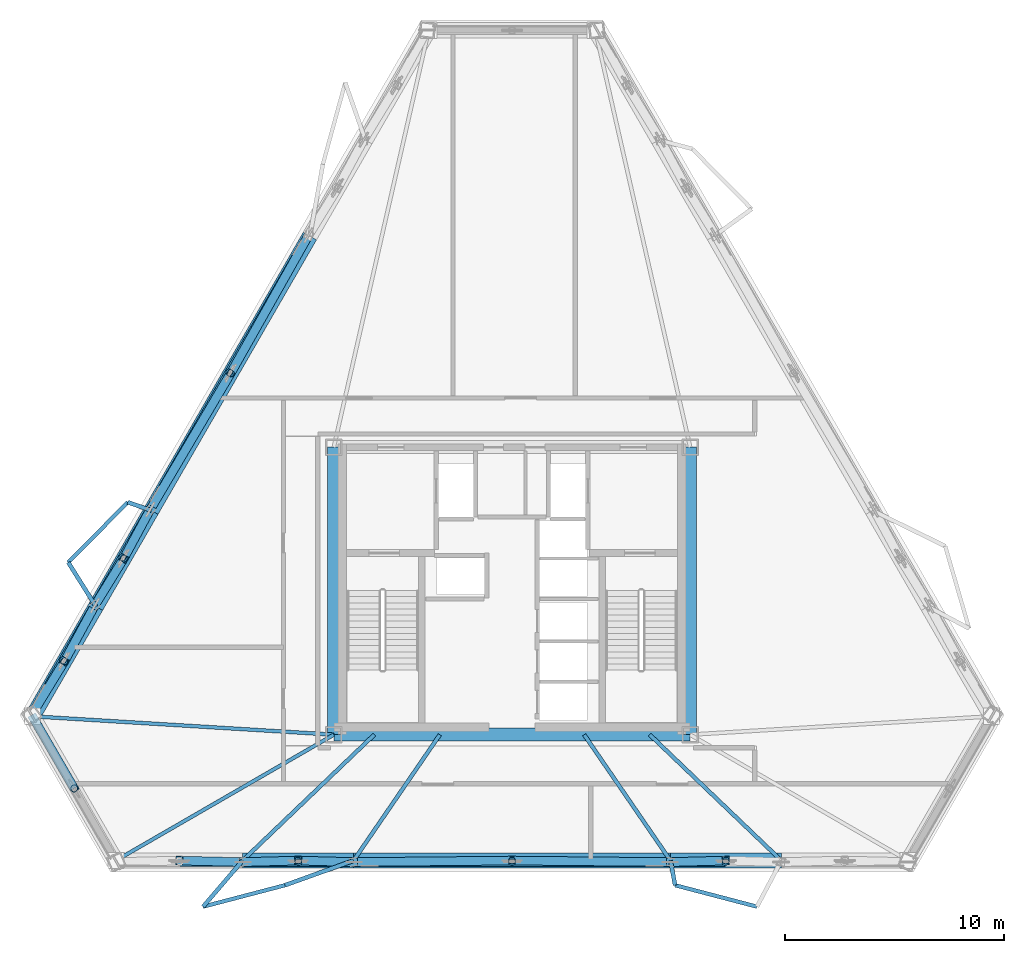
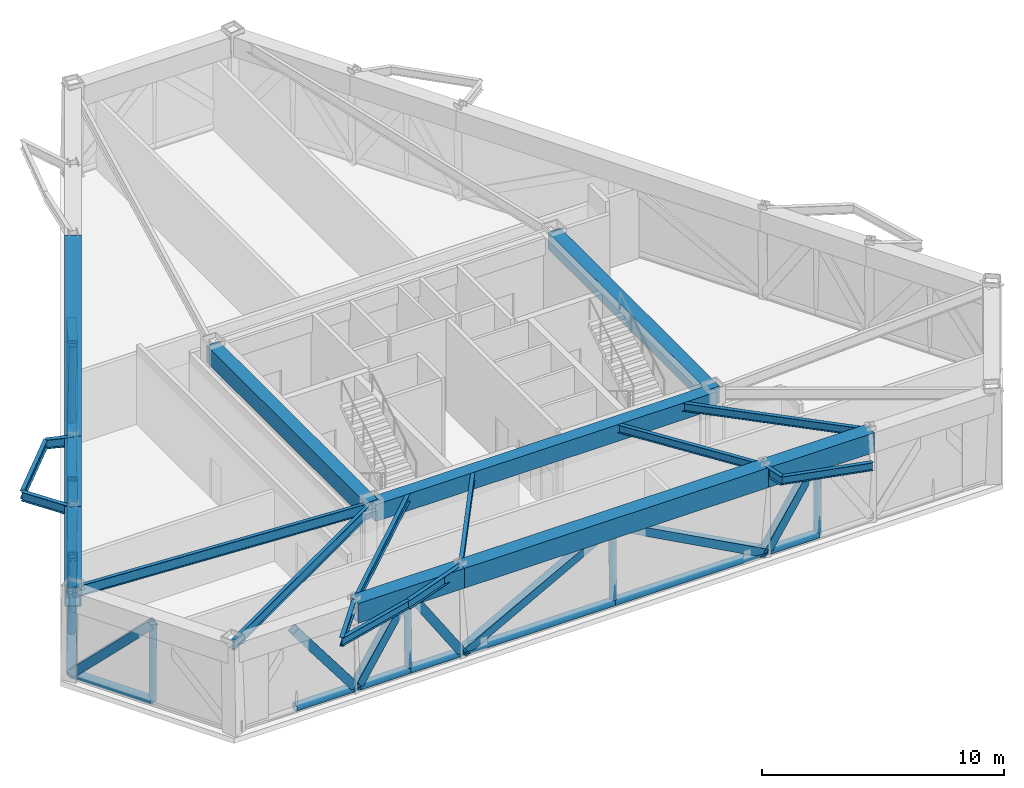
# One storey, part 2 of 10: 33 members, 23 beams.
"""IFC4 building model written with IfcOpenShell, lengths in metres."""

from ifc_helpers import new_model, si_unit, direction, frame, origin, origin_2d, place, context, subcontext, project, spatial, rectangle, hollow_rectangle, hollow_circle, i_section, extrude, material, material_profile, profile_set, type_object, element, save


model = new_model("IFC4")

# Units and contexts
model_context = context("Model", 3, precision=1e-05, world=origin(), true_north=direction((0.0, 1.0)))
body_context = subcontext(model_context, "Body", "Model", "MODEL_VIEW")
ifc_project = project(units=[si_unit("LENGTHUNIT", "METRE"), si_unit("AREAUNIT", "SQUARE_METRE"), si_unit("VOLUMEUNIT", "CUBIC_METRE"), si_unit("PLANEANGLEUNIT", "RADIAN"), si_unit("MASSUNIT", "GRAM", prefix="KILO")], contexts=[model_context])

# Site, building, storey
site_placement = place(None, origin())
site = spatial("IfcSite", under=ifc_project, at=site_placement, CompositionType="ELEMENT")
building_placement = place(site_placement, origin())
building = spatial("IfcBuilding", under=site, at=building_placement, Name="Oramaril Tower", CompositionType="ELEMENT")
storey_placement = place(building_placement, frame((0.0, 0.0, 189.0)))
storey = spatial("IfcBuildingStorey", under=building, at=storey_placement, Name="L50", CompositionType="ELEMENT", Elevation=189.0)

# Beams
ifc_material_1 = material(Name="Steel ASTM A572 Gr 50", Category="steel")
ifc_material_profile_1 = material_profile(ifc_material_1, i_section(OverallWidth=0.19091796875, OverallDepth=0.45703125, WebThickness=0.009033203125, FlangeThickness=0.014404296875, at=origin_2d()), Name="W18X50")
ifc_profile_set_1 = profile_set([ifc_material_profile_1], Name="Steel ASTM A572 Gr 50")
beam_type_1 = type_object("IfcBeamType", Name="BT-BB1", PredefinedType="BEAM", material=ifc_profile_set_1)
beam_1_placement = place(storey_placement, frame((25.18017578125, 5.24169921875, 4.3515625), z_axis=(-0.651471332748, -0.758673251544, 0.0), x_axis=(0.758673251544, -0.651471332748, 0.0)))
element("IfcBeam", 1, at=beam_1_placement, inside=storey, type_object=beam_type_1, Name="L50 Balcony Column-Framed Cantilever 01.1", PredefinedType="BEAM", context=body_context, shape_type="SweptSolid", body=[
    extrude(i_section(OverallWidth=0.19091796875, OverallDepth=0.45703125, WebThickness=0.009033203125, FlangeThickness=0.014404296875, at=origin_2d()), origin(), (0.0, 0.0, 1.0), 2.7783203125),
])
beam_2_placement = place(storey_placement, frame((30.253173828125, 5.24169921875, 4.3515625), z_axis=(-0.941094369535, -0.338144033851, 0.0), x_axis=(0.338144033851, -0.941094369535, 0.0)))
element("IfcBeam", 2, at=beam_2_placement, inside=storey, type_object=beam_type_1, Name="L50 Balcony Column-Framed Cantilever 01.2", PredefinedType="BEAM", context=body_context, shape_type="SweptSolid", body=[
    extrude(i_section(OverallWidth=0.19091796875, OverallDepth=0.45703125, WebThickness=0.009033203125, FlangeThickness=0.014404296875, at=origin_2d()), origin(), (0.0, 0.0, 1.0), 3.335693359375),
])
beam_3_placement = place(storey_placement, frame((44.746826171875, 5.24169921875, 4.3515625), z_axis=(0.186496448459, -0.982455634984, 0.0), x_axis=(0.982455634984, 0.186496448459, 0.0)))
element("IfcBeam", 3, at=beam_3_placement, inside=storey, type_object=beam_type_1, Name="L50 Balcony Column-Framed Cantilever 02.1", PredefinedType="BEAM", context=body_context, shape_type="SweptSolid", body=[
    extrude(i_section(OverallWidth=0.19091796875, OverallDepth=0.45703125, WebThickness=0.009033203125, FlangeThickness=0.014404296875, at=origin_2d()), origin(), (0.0, 0.0, 1.0), 1.148193359375),
])
beam_4_placement = place(storey_placement, frame((21.0087890625, 21.253173828125, 4.3515625), z_axis=(-0.94403394641, 0.329848310629, 0.0), x_axis=(-0.329848310629, -0.94403394641, 0.0)))
element("IfcBeam", 4, at=beam_4_placement, inside=storey, type_object=beam_type_1, Name="L50 Balcony Column-Framed Cantilever 06.1", PredefinedType="BEAM", context=body_context, shape_type="SweptSolid", body=[
    extrude(i_section(OverallWidth=0.19091796875, OverallDepth=0.45703125, WebThickness=0.009033203125, FlangeThickness=0.014404296875, at=origin_2d()), origin(), (0.0, 0.0, 1.0), 1.14794921875),
])
beam_5_placement = place(storey_placement, frame((18.472412109375, 16.85986328125, 4.3515625), z_axis=(-0.531764717198, 0.846892133358, 0.0), x_axis=(-0.846892133358, -0.531764717198, 0.0)))
element("IfcBeam", 5, at=beam_5_placement, inside=storey, type_object=beam_type_1, Name="L50 Balcony Column-Framed Cantilever 06.2", PredefinedType="BEAM", context=body_context, shape_type="SweptSolid", body=[
    extrude(i_section(OverallWidth=0.19091796875, OverallDepth=0.45703125, WebThickness=0.009033203125, FlangeThickness=0.014404296875, at=origin_2d()), origin(), (0.0, 0.0, 1.0), 2.384521484375),
])
ifc_material_2 = material(Name="Steel ASTM A572 Gr 50", Category="steel")
ifc_material_profile_2 = material_profile(ifc_material_2, hollow_rectangle(XDim=0.699951171875, YDim=1.0, WallThickness=0.06494140625, at=origin_2d()), Name="BOX1000X700X65")
ifc_profile_set_2 = profile_set([ifc_material_profile_2], Name="Steel ASTM A572 Gr 50")
beam_type_2 = type_object("IfcBeamType", Name="BT-BT1", PredefinedType="BEAM", material=ifc_profile_set_2)
beam_6_placement = place(storey_placement, frame((25.18017578125, 5.24169921875, 4.080078125), z_axis=(1.0, 0.0, 0.0), x_axis=(0.0, 1.0, 0.0)))
element("IfcBeam", 6, at=beam_6_placement, inside=storey, type_object=beam_type_2, Name="L50 Perimeter Spandrel 03", PredefinedType="BEAM", context=body_context, shape_type="SweptSolid", body=[
    extrude(hollow_rectangle(XDim=0.699951171875, YDim=1.0, WallThickness=0.06494140625, at=origin_2d()), origin(), (0.0, 0.0, 1.0), 5.072998046875),
])
beam_7_placement = place(storey_placement, frame((30.253173828125, 5.24169921875, 4.080078125), z_axis=(1.0, 0.0, 0.0), x_axis=(0.0, 1.0, 0.0)))
element("IfcBeam", 7, at=beam_7_placement, inside=storey, type_object=beam_type_2, Name="L50 Perimeter Spandrel 04", PredefinedType="BEAM", context=body_context, shape_type="SweptSolid", body=[
    extrude(hollow_rectangle(XDim=0.699951171875, YDim=1.0, WallThickness=0.06494140625, at=origin_2d()), origin(), (0.0, 0.0, 1.0), 14.49365234375),
])
beam_8_placement = place(storey_placement, frame((44.746826171875, 5.24169921875, 4.080078125), z_axis=(1.0, 0.0, 0.0), x_axis=(0.0, 1.0, 0.0)))
element("IfcBeam", 8, at=beam_8_placement, inside=storey, type_object=beam_type_2, Name="L50 Perimeter Spandrel 05", PredefinedType="BEAM", context=body_context, shape_type="SweptSolid", body=[
    extrude(hollow_rectangle(XDim=0.699951171875, YDim=1.0, WallThickness=0.06494140625, at=origin_2d()), origin(), (0.0, 0.0, 1.0), 5.072998046875),
])
beam_9_placement = place(storey_placement, frame((28.255859375, 33.80517578125, 4.080078125), z_axis=(-0.500008724652, -0.866020366546, 0.0), x_axis=(0.866020366546, -0.500008724652, 0.0)))
element("IfcBeam", 9, at=beam_9_placement, inside=storey, type_object=beam_type_2, Name="L50 Perimeter Spandrel 16", PredefinedType="BEAM", context=body_context, shape_type="SweptSolid", body=[
    extrude(hollow_rectangle(XDim=0.699951171875, YDim=1.0, WallThickness=0.06494140625, at=origin_2d()), origin(), (0.0, 0.0, 1.0), 14.493896484375),
])
beam_10_placement = place(storey_placement, frame((21.0087890625, 21.253173828125, 4.080078125), z_axis=(-0.49998490891, -0.866034116454, 0.0), x_axis=(0.866034116454, -0.49998490891, 0.0)))
element("IfcBeam", 10, at=beam_10_placement, inside=storey, type_object=beam_type_2, Name="L50 Perimeter Spandrel 17", PredefinedType="BEAM", context=body_context, shape_type="SweptSolid", body=[
    extrude(hollow_rectangle(XDim=0.699951171875, YDim=1.0, WallThickness=0.06494140625, at=origin_2d()), origin(), (0.0, 0.0, 1.0), 5.072998046875),
])
beam_11_placement = place(storey_placement, frame((18.472412109375, 16.85986328125, 4.080078125), z_axis=(-0.499993421515, -0.866029201841, 0.0), x_axis=(0.866029201841, -0.499993421515, 0.0)))
element("IfcBeam", 11, at=beam_11_placement, inside=storey, type_object=beam_type_2, Name="L50 Perimeter Spandrel 18", PredefinedType="BEAM", context=body_context, shape_type="SweptSolid", body=[
    extrude(hollow_rectangle(XDim=0.699951171875, YDim=1.0, WallThickness=0.06494140625, at=origin_2d()), origin(), (0.0, 0.0, 1.0), 5.79736328125),
])
ifc_material_3 = material(Name="Concrete C50/60", Category="concrete")
ifc_material_profile_3 = material_profile(ifc_material_3, rectangle(XDim=0.60009765625, YDim=0.85009765625, at=origin_2d()), Name="CB600X850")
ifc_profile_set_3 = profile_set([ifc_material_profile_3], Name="Concrete C50/60")
beam_type_3 = type_object("IfcBeamType", Name="BT-CB2", PredefinedType="BEAM", material=ifc_profile_set_3)
beam_12_placement = place(storey_placement, frame((29.35009765625, 11.0, 4.155029296875), z_axis=(1.0, 0.0, 0.0), x_axis=(0.0, 1.0, 0.0)))
element("IfcBeam", 12, at=beam_12_placement, inside=storey, type_object=beam_type_3, Name="L50 Core Header Beam CB-1", PredefinedType="BEAM", context=body_context, shape_type="SweptSolid", body=[
    extrude(rectangle(XDim=0.60009765625, YDim=0.85009765625, at=origin_2d()), origin(), (0.0, 0.0, 1.0), 16.2998046875),
])
for number, where, z_axis, x_axis, name in (
    (13, (45.64990234375, 11.0, 4.155029296875), (0.0, 1.0, 0.0), (-1.0, 0.0, 0.0), "L50 Core Header Beam CB-2"),
    (14, (29.35009765625, 24.14990234375, 4.155029296875), (0.0, -1.0, 0.0), (1.0, 0.0, 0.0), "L50 Core Header Beam CB-4"),
):
    element("IfcBeam", number, at=place(storey_placement, frame(where, z_axis=z_axis, x_axis=x_axis)), inside=storey, type_object=beam_type_3, Name=name, PredefinedType="BEAM", context=body_context, shape_type="SweptSolid", body=[
        extrude(rectangle(XDim=0.60009765625, YDim=0.85009765625, at=origin_2d()), origin(), (0.0, 0.0, 1.0), 13.14990234375),
    ])
ifc_material_4 = material(Name="Steel ASTM A572 Gr 50", Category="steel")
ifc_material_profile_4 = material_profile(ifc_material_4, i_section(OverallWidth=0.166015625, OverallDepth=0.528076171875, WebThickness=0.009765625, FlangeThickness=0.013671875, at=origin_2d()), Name="W21X50")
ifc_profile_set_4 = profile_set([ifc_material_profile_4], Name="Steel ASTM A572 Gr 50")
beam_type_4 = type_object("IfcBeamType", Name="BT-FB3", PredefinedType="BEAM", material=ifc_profile_set_4)
beam_13_placement = place(storey_placement, frame((29.35009765625, 11.0, 4.31591796875), z_axis=(-0.998150163304, 0.060796804978, 0.0), x_axis=(-0.060796804978, -0.998150163304, 0.0)))
element("IfcBeam", 15, at=beam_13_placement, inside=storey, type_object=beam_type_4, Name="L50 Radial Primary Beam RB-01", PredefinedType="BEAM", context=body_context, shape_type="SweptSolid", body=[
    extrude(i_section(OverallWidth=0.166015625, OverallDepth=0.528076171875, WebThickness=0.009765625, FlangeThickness=0.013671875, at=origin_2d()), origin(), (0.0, 0.0, 1.0), 13.802001953125),
])
beam_14_placement = place(storey_placement, frame((29.35009765625, 11.0, 4.31591796875), z_axis=(-0.865886713512, -0.500240141696, 0.0), x_axis=(0.500240141696, -0.865886713512, 0.0)))
element("IfcBeam", 16, at=beam_14_placement, inside=storey, type_object=beam_type_4, Name="L50 Radial Primary Beam RB-02", PredefinedType="BEAM", context=body_context, shape_type="SweptSolid", body=[
    extrude(i_section(OverallWidth=0.166015625, OverallDepth=0.528076171875, WebThickness=0.009765625, FlangeThickness=0.013671875, at=origin_2d()), origin(), (0.0, 0.0, 1.0), 11.510986328125),
])
ifc_material_5 = material(Name="Steel ASTM A572 Gr 50", Category="steel")
ifc_material_profile_5 = material_profile(ifc_material_5, i_section(OverallWidth=0.177978515625, OverallDepth=0.404052734375, WebThickness=0.007568359375, FlangeThickness=0.010986328125, at=origin_2d()), Name="W16X36")
ifc_profile_set_5 = profile_set([ifc_material_profile_5], Name="Steel ASTM A572 Gr 50")
beam_type_5 = type_object("IfcBeamType", Name="BT-SB1", PredefinedType="BEAM", material=ifc_profile_set_5)
beam_15_placement = place(storey_placement, frame((31.199951171875, 11.0, 4.3779296875), z_axis=(-0.722626581375, -0.69123861574, 0.0), x_axis=(0.69123861574, -0.722626581375, 0.0)))
element("IfcBeam", 17, at=beam_15_placement, inside=storey, type_object=beam_type_5, Name="L50 Secondary Floor Beam SB-01", PredefinedType="BEAM", context=body_context, shape_type="SweptSolid", body=[
    extrude(i_section(OverallWidth=0.177978515625, OverallDepth=0.404052734375, WebThickness=0.007568359375, FlangeThickness=0.010986328125, at=origin_2d()), origin(), (0.0, 0.0, 1.0), 8.330322265625),
])
for number, where, z_axis, x_axis, name in (
    (18, (34.199951171875, 11.0, 4.3779296875), (-0.565355716744, -0.824847206181, 0.0), (0.824847206181, -0.565355716744, 0.0), "L50 Secondary Floor Beam SB-02"),
    (19, (40.800048828125, 11.0, 4.3779296875), (0.565355716744, -0.824847206181, 0.0), (0.824847206181, 0.565355716744, 0.0), "L50 Secondary Floor Beam SB-03"),
):
    element("IfcBeam", number, at=place(storey_placement, frame(where, z_axis=z_axis, x_axis=x_axis)), inside=storey, type_object=beam_type_5, Name=name, PredefinedType="BEAM", context=body_context, shape_type="SweptSolid", body=[
        extrude(i_section(OverallWidth=0.177978515625, OverallDepth=0.404052734375, WebThickness=0.007568359375, FlangeThickness=0.010986328125, at=origin_2d()), origin(), (0.0, 0.0, 1.0), 6.98095703125),
    ])
beam_16_placement = place(storey_placement, frame((43.800048828125, 11.0, 4.3779296875), z_axis=(0.722626581375, -0.69123861574, 0.0), x_axis=(0.69123861574, 0.722626581375, 0.0)))
element("IfcBeam", 20, at=beam_16_placement, inside=storey, type_object=beam_type_5, Name="L50 Secondary Floor Beam SB-04", PredefinedType="BEAM", context=body_context, shape_type="SweptSolid", body=[
    extrude(i_section(OverallWidth=0.177978515625, OverallDepth=0.404052734375, WebThickness=0.007568359375, FlangeThickness=0.010986328125, at=origin_2d()), origin(), (0.0, 0.0, 1.0), 8.330322265625),
])
for number, where, z_axis, x_axis, name in (
    (21, (23.3701171875, 3.1337890625, 4.3779296875), (0.967407922874, 0.253223045479, 0.0), (-0.253223045479, 0.967407922874, 0.0), "L50 Balcony Edge Tie Beam 01"),
    (22, (44.9609375, 4.11376953125, 4.3779296875), (0.967407922874, -0.253223045479, 0.0), (0.253223045479, 0.967407922874, 0.0), "L50 Balcony Edge Tie Beam 02"),
    (23, (19.925048828125, 21.6318359375, 4.3779296875), (-0.702994511648, -0.71119527318, 0.0), (0.71119527318, -0.702994511648, 0.0), "L50 Balcony Edge Tie Beam 06"),
):
    element("IfcBeam", number, at=place(storey_placement, frame(where, z_axis=z_axis, x_axis=x_axis)), inside=storey, type_object=beam_type_5, Name=name, PredefinedType="BEAM", context=body_context, shape_type="SweptSolid", body=[
        extrude(i_section(OverallWidth=0.177978515625, OverallDepth=0.404052734375, WebThickness=0.007568359375, FlangeThickness=0.010986328125, at=origin_2d()), origin(), (0.0, 0.0, 1.0), 3.8701171875),
    ])

# Members
ifc_material_6 = material(Name="Steel ASTM A572 Gr 50", Category="steel")
ifc_material_profile_6 = material_profile(ifc_material_6, hollow_rectangle(XDim=0.39990234375, YDim=0.39990234375, WallThickness=0.02001953125, at=origin_2d()), Name="HSS400X400X20")
ifc_profile_set_6 = profile_set([ifc_material_profile_6], Name="Steel ASTM A572 Gr 50")
member_type_1 = type_object("IfcMemberType", Name="MT-BD1", PredefinedType="BRACE", material=ifc_profile_set_6)
member_1_placement = place(storey_placement, frame((15.527587890625, 11.900146484375, 0.2099609375), z_axis=(0.355719905026, -0.612693032912, 0.705741168269), x_axis=(0.864811832392, 0.502096100916, 0.0)))
element("IfcMember", 24, at=member_1_placement, inside=storey, type_object=member_type_1, Name="L50 Truss Diagonal 01A", PredefinedType="BRACE", context=body_context, shape_type="SweptSolid", body=[
    extrude(hollow_rectangle(XDim=0.39990234375, YDim=0.39990234375, WallThickness=0.02001953125, at=origin_2d()), origin(), (0.0, 0.0, 1.0), 5.483642578125),
])
member_2_placement = place(storey_placement, frame((25.200439453125, 5.17138671875, 0.2099609375), z_axis=(-0.602094106491, 0.014503437828, 0.79829339044), x_axis=(-0.024081338301, -0.999710002524, 0.0)))
element("IfcMember", 25, at=member_2_placement, inside=storey, type_object=member_type_1, Name="L50 Truss Diagonal 02B", PredefinedType="BRACE", context=body_context, shape_type="SweptSolid", body=[
    extrude(hollow_rectangle(XDim=0.39990234375, YDim=0.39990234375, WallThickness=0.02001953125, at=origin_2d()), origin(), (0.0, 0.0, 1.0), 4.847900390625),
])
member_3_placement = place(storey_placement, frame((25.200439453125, 5.17138671875, 0.2099609375), z_axis=(0.545044096908, 0.015229717659, 0.838269042805), x_axis=(-0.027931273466, 0.999609845871, 0.0)))
element("IfcMember", 26, at=member_3_placement, inside=storey, type_object=member_type_1, Name="L50 Truss Diagonal 03A", PredefinedType="BRACE", context=body_context, shape_type="SweptSolid", body=[
    extrude(hollow_rectangle(XDim=0.39990234375, YDim=0.39990234375, WallThickness=0.02001953125, at=origin_2d()), origin(), (0.0, 0.0, 1.0), 4.61669921875),
])
member_4_placement = place(storey_placement, frame((30.264892578125, 5.17138671875, 0.2099609375), z_axis=(-0.549849282524, 0.015172616017, 0.835126073256), x_axis=(-0.027583636652, -0.999619499104, 0.0)))
element("IfcMember", 27, at=member_4_placement, inside=storey, type_object=member_type_1, Name="L50 Truss Diagonal 03B", PredefinedType="BRACE", context=body_context, shape_type="SweptSolid", body=[
    extrude(hollow_rectangle(XDim=0.39990234375, YDim=0.39990234375, WallThickness=0.02001953125, at=origin_2d()), origin(), (0.0, 0.0, 1.0), 4.63427734375),
])
for number, where, z_axis, x_axis, name in (
    (28, (30.264892578125, 5.17138671875, 0.2099609375), (0.881743346477, 0.008568992198, 0.471651612227), (-0.009717779686, 0.999952781264, 0.0), "L50 Truss Diagonal 04A"),
    (29, (44.735107421875, 5.17138671875, 0.2099609375), (-0.881743346477, 0.008568992198, 0.471651612227), (-0.009717779686, -0.999952781264, 0.0), "L50 Truss Diagonal 04B"),
):
    element("IfcMember", number, at=place(storey_placement, frame(where, z_axis=z_axis, x_axis=x_axis)), inside=storey, type_object=member_type_1, Name=name, PredefinedType="BRACE", context=body_context, shape_type="SweptSolid", body=[
        extrude(hollow_rectangle(XDim=0.39990234375, YDim=0.39990234375, WallThickness=0.02001953125, at=origin_2d()), origin(), (0.0, 0.0, 1.0), 8.20556640625),
    ])
member_5_placement = place(storey_placement, frame((44.735107421875, 5.17138671875, 0.2099609375), z_axis=(0.549849282524, 0.015172616017, 0.835126073256), x_axis=(-0.027583636652, 0.999619499104, 0.0)))
element("IfcMember", 30, at=member_5_placement, inside=storey, type_object=member_type_1, Name="L50 Truss Diagonal 05A", PredefinedType="BRACE", context=body_context, shape_type="SweptSolid", body=[
    extrude(hollow_rectangle(XDim=0.39990234375, YDim=0.39990234375, WallThickness=0.02001953125, at=origin_2d()), origin(), (0.0, 0.0, 1.0), 4.63427734375),
])
member_6_placement = place(storey_placement, frame((28.18896484375, 33.830078125, 0.2099609375), z_axis=(-0.433455226422, -0.767889379702, 0.471659270266), x_axis=(0.870839219785, -0.491567953883, 0.0)))
element("IfcMember", 31, at=member_6_placement, inside=storey, type_object=member_type_1, Name="L50 Truss Diagonal 16A", PredefinedType="BRACE", context=body_context, shape_type="SweptSolid", body=[
    extrude(hollow_rectangle(XDim=0.39990234375, YDim=0.39990234375, WallThickness=0.02001953125, at=origin_2d()), origin(), (0.0, 0.0, 1.0), 8.205322265625),
])
member_7_placement = place(storey_placement, frame((20.953857421875, 21.298583984375, 0.2099609375), z_axis=(0.448291236664, 0.759331031453, 0.471647486799), x_axis=(-0.861127310747, 0.508389373105, 0.0)))
element("IfcMember", 32, at=member_7_placement, inside=storey, type_object=member_type_1, Name="L50 Truss Diagonal 16B", PredefinedType="BRACE", context=body_context, shape_type="SweptSolid", body=[
    extrude(hollow_rectangle(XDim=0.39990234375, YDim=0.39990234375, WallThickness=0.02001953125, at=origin_2d()), origin(), (0.0, 0.0, 1.0), 8.20556640625),
])
member_8_placement = place(storey_placement, frame((20.953857421875, 21.298583984375, 0.2099609375), z_axis=(-0.261771988787, -0.483822488433, 0.835099530339), x_axis=(0.879519135016, -0.475863521548, 0.0)))
element("IfcMember", 33, at=member_8_placement, inside=storey, type_object=member_type_1, Name="L50 Truss Diagonal 17A", PredefinedType="BRACE", context=body_context, shape_type="SweptSolid", body=[
    extrude(hollow_rectangle(XDim=0.39990234375, YDim=0.39990234375, WallThickness=0.02001953125, at=origin_2d()), origin(), (0.0, 0.0, 1.0), 4.63427734375),
])
member_9_placement = place(storey_placement, frame((18.421630859375, 16.91259765625, 0.2099609375), z_axis=(0.285723368843, 0.464359967021, 0.838291105479), x_axis=(-0.851688287143, 0.524048720582, 0.0)))
element("IfcMember", 34, at=member_9_placement, inside=storey, type_object=member_type_1, Name="L50 Truss Diagonal 17B", PredefinedType="BRACE", context=body_context, shape_type="SweptSolid", body=[
    extrude(hollow_rectangle(XDim=0.39990234375, YDim=0.39990234375, WallThickness=0.02001953125, at=origin_2d()), origin(), (0.0, 0.0, 1.0), 4.61669921875),
])
member_10_placement = place(storey_placement, frame((18.421630859375, 16.91259765625, 0.2099609375), z_axis=(-0.288461247517, -0.528677754266, 0.798304416138), x_axis=(0.877831652528, -0.478969299455, 0.0)))
element("IfcMember", 35, at=member_10_placement, inside=storey, type_object=member_type_1, Name="L50 Truss Diagonal 18A", PredefinedType="BRACE", context=body_context, shape_type="SweptSolid", body=[
    extrude(hollow_rectangle(XDim=0.39990234375, YDim=0.39990234375, WallThickness=0.02001953125, at=origin_2d()), origin(), (0.0, 0.0, 1.0), 4.847900390625),
])
member_11_placement = place(storey_placement, frame((15.527587890625, 11.900146484375, 0.2099609375), z_axis=(0.310411121229, 0.508383085095, 0.803238180496), x_axis=(-0.853481536128, 0.521123082859, 0.0)))
element("IfcMember", 36, at=member_11_placement, inside=storey, type_object=member_type_1, Name="L50 Truss Diagonal 18B", PredefinedType="BRACE", context=body_context, shape_type="SweptSolid", body=[
    extrude(hollow_rectangle(XDim=0.39990234375, YDim=0.39990234375, WallThickness=0.02001953125, at=origin_2d()), origin(), (0.0, 0.0, 1.0), 4.818115234375),
])
ifc_material_7 = material(Name="Steel ASTM A572 Gr 50", Category="steel")
ifc_material_profile_7 = material_profile(ifc_material_7, hollow_circle(Radius=0.202880859375, WallThickness=0.01611328125, at=origin_2d()), Name="CHS406X16")
ifc_profile_set_7 = profile_set([ifc_material_profile_7], Name="Steel ASTM A572 Gr 50")
member_type_2 = type_object("IfcMemberType", Name="MT-CH1", PredefinedType="CHORD", material=ifc_profile_set_7)
member_12_placement = place(storey_placement, frame((15.527587890625, 11.900146484375, 0.2099609375), z_axis=(0.500052472097, -0.865995106886, 0.0), x_axis=(0.865995106886, 0.500052472097, 0.0)))
element("IfcMember", 37, at=member_12_placement, inside=storey, type_object=member_type_2, Name="L50 Belt Truss Chord 01A", PredefinedType="CHORD", context=body_context, shape_type="SweptSolid", body=[
    extrude(hollow_circle(Radius=0.202880859375, WallThickness=0.01611328125, at=origin_2d()), origin(), (0.0, 0.0, 1.0), 3.884765625),
])
member_13_placement = place(storey_placement, frame((22.306396484375, 5.17138671875, 0.2099609375), z_axis=(1.0, 0.0, 0.0), x_axis=(0.0, 1.0, 0.0)))
element("IfcMember", 38, at=member_13_placement, inside=storey, type_object=member_type_2, Name="L50 Belt Truss Chord 02B", PredefinedType="CHORD", context=body_context, shape_type="SweptSolid", body=[
    extrude(hollow_circle(Radius=0.202880859375, WallThickness=0.01611328125, at=origin_2d()), origin(), (0.0, 0.0, 1.0), 2.89404296875),
])
member_14_placement = place(storey_placement, frame((25.200439453125, 5.17138671875, 0.2099609375), z_axis=(1.0, 0.0, 0.0), x_axis=(0.0, 1.0, 0.0)))
element("IfcMember", 39, at=member_14_placement, inside=storey, type_object=member_type_2, Name="L50 Belt Truss Chord 03A", PredefinedType="CHORD", context=body_context, shape_type="SweptSolid", body=[
    extrude(hollow_circle(Radius=0.202880859375, WallThickness=0.01611328125, at=origin_2d()), origin(), (0.0, 0.0, 1.0), 2.532470703125),
])
member_15_placement = place(storey_placement, frame((27.73291015625, 5.17138671875, 0.2099609375), z_axis=(1.0, 0.0, 0.0), x_axis=(0.0, 1.0, 0.0)))
element("IfcMember", 40, at=member_15_placement, inside=storey, type_object=member_type_2, Name="L50 Belt Truss Chord 03B", PredefinedType="CHORD", context=body_context, shape_type="SweptSolid", body=[
    extrude(hollow_circle(Radius=0.202880859375, WallThickness=0.01611328125, at=origin_2d()), origin(), (0.0, 0.0, 1.0), 2.531982421875),
])
for number, where, z_axis, x_axis, name in (
    (41, (30.264892578125, 5.17138671875, 0.2099609375), (1.0, 0.0, 0.0), (0.0, 1.0, 0.0), "L50 Belt Truss Chord 04A"),
    (42, (37.5, 5.17138671875, 0.2099609375), (1.0, 0.0, 0.0), (0.0, 1.0, 0.0), "L50 Belt Truss Chord 04B"),
):
    element("IfcMember", number, at=place(storey_placement, frame(where, z_axis=z_axis, x_axis=x_axis)), inside=storey, type_object=member_type_2, Name=name, PredefinedType="CHORD", context=body_context, shape_type="SweptSolid", body=[
        extrude(hollow_circle(Radius=0.202880859375, WallThickness=0.01611328125, at=origin_2d()), origin(), (0.0, 0.0, 1.0), 7.235107421875),
    ])
member_16_placement = place(storey_placement, frame((44.735107421875, 5.17138671875, 0.2099609375), z_axis=(1.0, 0.0, 0.0), x_axis=(0.0, 1.0, 0.0)))
element("IfcMember", 43, at=member_16_placement, inside=storey, type_object=member_type_2, Name="L50 Belt Truss Chord 05A", PredefinedType="CHORD", context=body_context, shape_type="SweptSolid", body=[
    extrude(hollow_circle(Radius=0.202880859375, WallThickness=0.01611328125, at=origin_2d()), origin(), (0.0, 0.0, 1.0), 2.5322265625),
])
member_17_placement = place(storey_placement, frame((28.18896484375, 33.830078125, 0.2099609375), z_axis=(-0.500007727388, -0.866020942329, 0.0), x_axis=(0.866020942329, -0.500007727388, 0.0)))
element("IfcMember", 44, at=member_17_placement, inside=storey, type_object=member_type_2, Name="L50 Belt Truss Chord 16A", PredefinedType="CHORD", context=body_context, shape_type="SweptSolid", body=[
    extrude(hollow_circle(Radius=0.202880859375, WallThickness=0.01611328125, at=origin_2d()), origin(), (0.0, 0.0, 1.0), 7.2353515625),
])
member_18_placement = place(storey_placement, frame((24.5712890625, 27.564208984375, 0.2099609375), z_axis=(-0.499997031082, -0.866027117883, 0.0), x_axis=(0.866027117883, -0.499997031082, 0.0)))
element("IfcMember", 45, at=member_18_placement, inside=storey, type_object=member_type_2, Name="L50 Belt Truss Chord 16B", PredefinedType="CHORD", context=body_context, shape_type="SweptSolid", body=[
    extrude(hollow_circle(Radius=0.202880859375, WallThickness=0.01611328125, at=origin_2d()), origin(), (0.0, 0.0, 1.0), 7.23486328125),
])
member_19_placement = place(storey_placement, frame((20.953857421875, 21.298583984375, 0.2099609375), z_axis=(-0.500017346395, -0.866015388607, 0.0), x_axis=(0.866015388607, -0.500017346395, 0.0)))
element("IfcMember", 46, at=member_19_placement, inside=storey, type_object=member_type_2, Name="L50 Belt Truss Chord 17A", PredefinedType="CHORD", context=body_context, shape_type="SweptSolid", body=[
    extrude(hollow_circle(Radius=0.202880859375, WallThickness=0.01611328125, at=origin_2d()), origin(), (0.0, 0.0, 1.0), 2.5322265625),
])
member_20_placement = place(storey_placement, frame((19.687744140625, 19.105712890625, 0.2099609375), z_axis=(-0.49997559865, -0.866039491452, 0.0), x_axis=(0.866039491452, -0.49997559865, 0.0)))
element("IfcMember", 47, at=member_20_placement, inside=storey, type_object=member_type_2, Name="L50 Belt Truss Chord 17B", PredefinedType="CHORD", context=body_context, shape_type="SweptSolid", body=[
    extrude(hollow_circle(Radius=0.202880859375, WallThickness=0.01611328125, at=origin_2d()), origin(), (0.0, 0.0, 1.0), 2.532470703125),
])
member_21_placement = place(storey_placement, frame((18.421630859375, 16.91259765625, 0.2099609375), z_axis=(-0.500031604084, -0.866007156389, 0.0), x_axis=(0.866007156389, -0.500031604084, 0.0)))
element("IfcMember", 48, at=member_21_placement, inside=storey, type_object=member_type_2, Name="L50 Belt Truss Chord 18A", PredefinedType="CHORD", context=body_context, shape_type="SweptSolid", body=[
    extrude(hollow_circle(Radius=0.202880859375, WallThickness=0.01611328125, at=origin_2d()), origin(), (0.0, 0.0, 1.0), 2.893798828125),
])
member_22_placement = place(storey_placement, frame((16.974609375, 14.406494140625, 0.2099609375), z_axis=(-0.499995073634, -0.866028248005, 0.0), x_axis=(0.866028248005, -0.499995073634, 0.0)))
element("IfcMember", 49, at=member_22_placement, inside=storey, type_object=member_type_2, Name="L50 Belt Truss Chord 18B", PredefinedType="CHORD", context=body_context, shape_type="SweptSolid", body=[
    extrude(hollow_circle(Radius=0.202880859375, WallThickness=0.01611328125, at=origin_2d()), origin(), (0.0, 0.0, 1.0), 2.89404296875),
])
ifc_material_8 = material(Name="Steel ASTM A572 Gr 50", Category="steel")
ifc_material_profile_8 = material_profile(ifc_material_8, hollow_circle(Radius=0.162109375, WallThickness=0.011962890625, at=origin_2d()), Name="CHS324X12")
ifc_profile_set_8 = profile_set([ifc_material_profile_8], Name="Steel ASTM A572 Gr 50")
member_type_3 = type_object("IfcMemberType", Name="MT-ST1", PredefinedType="STRUT", material=ifc_profile_set_8)
member_23_placement = place(storey_placement, frame((17.47021484375, 8.535888671875, 0.2099609375), z_axis=(0.002081750392, 0.001135500214, 0.999997188473), x_axis=(-0.478852130681, 0.877895572914, 0.0)))
element("IfcMember", 50, at=member_23_placement, inside=storey, type_object=member_type_3, Name="L50 Belt Truss Strut 01", PredefinedType="STRUT", context=body_context, shape_type="SweptSolid", body=[
    extrude(hollow_circle(Radius=0.162109375, WallThickness=0.011962890625, at=origin_2d()), origin(), (0.0, 0.0, 1.0), 3.8701171875),
])
for number, where, z_axis, x_axis, name in (
    (51, (27.73291015625, 5.17138671875, 0.2099609375), (-0.00416278945, 0.018164899417, 0.999826338727), (-0.974732318528, -0.223376156329, 0.0), "L50 Belt Truss Strut 03"),
    (52, (37.5, 5.17138671875, 0.2099609375), (0.0, 0.018165056807, 0.999835001743), (-1.0, 0.0, 0.0), "L50 Belt Truss Strut 04"),
    (53, (47.267333984375, 5.17138671875, 0.2099609375), (0.00409971795, 0.01816490415, 0.999826599251), (-0.975464470989, 0.220156911855, 0.0), "L50 Belt Truss Strut 05"),
    (54, (24.5712890625, 27.564208984375, 0.2099609375), (0.015768278321, -0.0090194552, 0.999834991799), (0.496512812701, 0.868029392834, 0.0), "L50 Belt Truss Strut 16"),
    (55, (19.687744140625, 19.105712890625, 0.2099609375), (0.013686730986, -0.012740643591, 0.999825159413), (0.681356220694, 0.731951979656, 0.0), "L50 Belt Truss Strut 17"),
    (56, (16.974609375, 14.406494140625, 0.2099609375), (0.012551276395, -0.014695715578, 0.999813233261), (0.760407254484, 0.649446539238, 0.0), "L50 Belt Truss Strut 18"),
):
    element("IfcMember", number, at=place(storey_placement, frame(where, z_axis=z_axis, x_axis=x_axis)), inside=storey, type_object=member_type_3, Name=name, PredefinedType="STRUT", context=body_context, shape_type="SweptSolid", body=[
        extrude(hollow_circle(Radius=0.162109375, WallThickness=0.011962890625, at=origin_2d()), origin(), (0.0, 0.0, 1.0), 3.870849609375),
    ])

save(model, "model.ifc")
